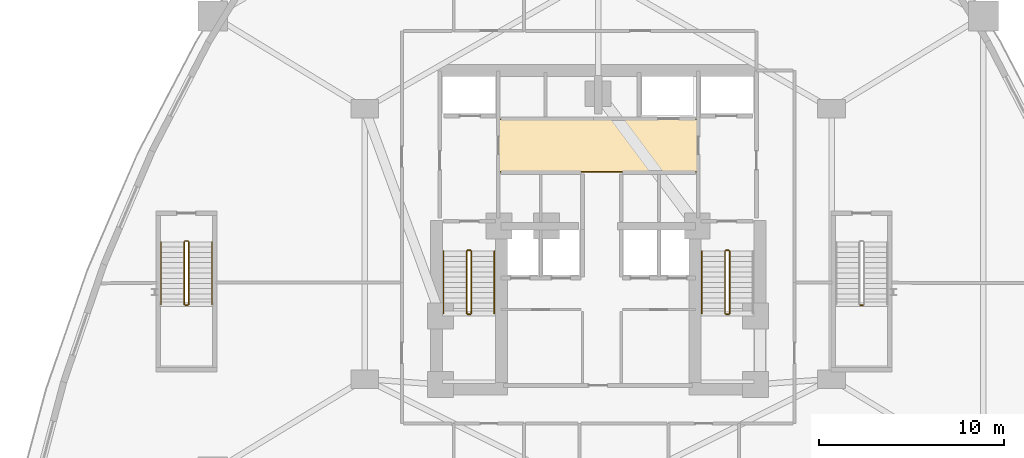
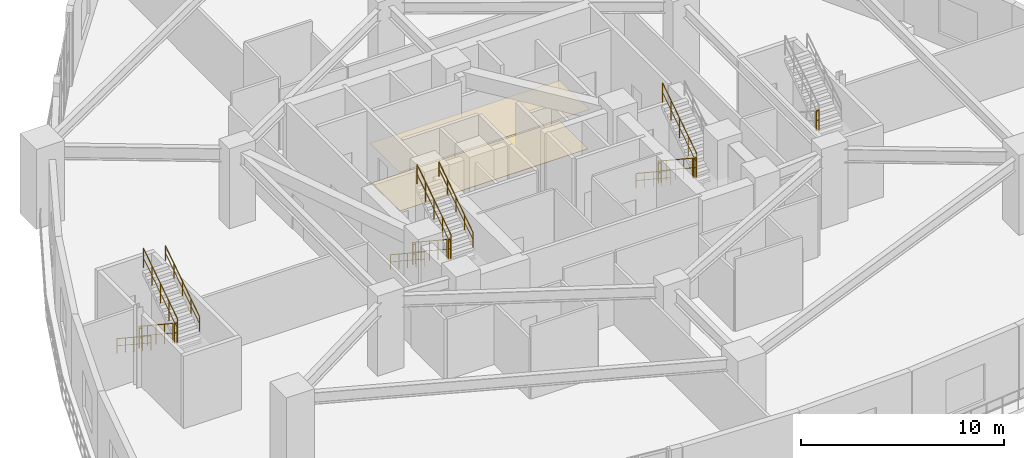
# One storey, part 16 of 19: 18 railings, 2 coverings.
"""IFC4 building model written with IfcOpenShell, lengths in metres."""

import ifcopenshell
import ifcopenshell.guid

model = None  # the IFC model being written
_history = None  # IfcOwnerHistory: only IFC2X3 demands one
_inside = {}  # id of a spatial element -> (the spatial element, [elements in it])
_under = {}  # id of a project, library or spatial element -> (it, [spatial elements below it])
_declared = {}  # id of a project -> (the project, [libraries it declares])
_typed = {}  # id of a type object -> (the type object, [elements of that type])
_made_of = {}  # id of a material, layer set ... -> (it, [elements and type objects made of it])


def new_model(schema):
    """Start an empty IFC model of exactly this schema.

    Asked for "IFC4X3", IfcOpenShell would pick the latest addendum, in which some entities
    have other attributes; the version numbers below select the first issue.
    IFC2X3 requires an IfcOwnerHistory on every rooted entity: one is made here for all.
    """
    global model, _history
    if schema == "IFC4X3":
        model = ifcopenshell.file(schema_version=(4, 3, 0, 0))
    else:
        model = ifcopenshell.file(schema=schema)
    _inside.clear()
    _under.clear()
    _declared.clear()
    _typed.clear()
    _made_of.clear()
    _history = None
    if model.schema == "IFC2X3":
        org = make("IfcOrganization", Name="unknown")
        user = make(
            "IfcPersonAndOrganization",
            ThePerson=make("IfcPerson", FamilyName="unknown"),
            TheOrganization=org,
        )
        app = make(
            "IfcApplication",
            ApplicationDeveloper=org,
            Version="unknown",
            ApplicationFullName="unknown",
            ApplicationIdentifier="unknown",
        )
        _history = make(
            "IfcOwnerHistory",
            OwningUser=user,
            OwningApplication=app,
            ChangeAction="ADDED",
            CreationDate=0,
        )
    return model


def make(cls, **values):
    """One entity of the class cls with the attributes given. An attribute that is None is left unset."""
    return model.create_entity(
        cls, **{name: value for name, value in values.items() if value is not None}
    )


def rooted(cls, **values):
    """An entity with a GlobalId (a new one), such as an element, a storey or a relation."""
    return make(cls, GlobalId=ifcopenshell.guid.new(), OwnerHistory=_history, **values)


def si_unit(unit_type, name, prefix=None):
    """IfcSIUnit, for example si_unit("LENGTHUNIT", "METRE", prefix="MILLI")."""
    return make("IfcSIUnit", UnitType=unit_type, Prefix=prefix, Name=name)


def assignment(units):
    """IfcUnitAssignment: the units of a project."""
    return None if units is None else make("IfcUnitAssignment", Units=units)


def point(xyz):
    """IfcCartesianPoint."""
    return None if xyz is None else make("IfcCartesianPoint", Coordinates=xyz)


def direction(xyz):
    """IfcDirection."""
    return None if xyz is None else make("IfcDirection", DirectionRatios=xyz)


def frame(location, z_axis=None, x_axis=None):
    """IfcAxis2Placement3D, a coordinate frame: its origin and axes. An axis left out is left unset."""
    return make(
        "IfcAxis2Placement3D",
        Location=point(location),
        Axis=direction(z_axis),
        RefDirection=direction(x_axis),
    )


def frame_2d(location, x_axis=None):
    """IfcAxis2Placement2D, a coordinate frame in the plane: its origin and x axis."""
    return make(
        "IfcAxis2Placement2D", Location=point(location), RefDirection=direction(x_axis)
    )


def origin():
    """The frame at (0, 0, 0) with its axes left unset."""
    return frame((0.0, 0.0, 0.0))


def origin_2d():
    """The frame at (0, 0) in the plane with its x axis left unset."""
    return frame_2d((0.0, 0.0))


def place(relative_to, where):
    """IfcLocalPlacement: puts the frame where relative to a parent placement (None: the world)."""
    return make(
        "IfcLocalPlacement", PlacementRelTo=relative_to, RelativePlacement=where
    )


def context(
    kind, dimensions, precision=None, world=None, true_north=None, identifier=None
):
    """IfcGeometricRepresentationContext, for example the 3D "Model" context."""
    return make(
        "IfcGeometricRepresentationContext",
        ContextIdentifier=identifier,
        ContextType=kind,
        CoordinateSpaceDimension=dimensions,
        Precision=precision,
        WorldCoordinateSystem=world,
        TrueNorth=true_north,
    )


def subcontext(parent, identifier, kind, view, scale=None):
    """IfcGeometricRepresentationSubContext, for example "Body" below "Model"."""
    return make(
        "IfcGeometricRepresentationSubContext",
        ContextIdentifier=identifier,
        ContextType=kind,
        ParentContext=parent,
        TargetScale=scale,
        TargetView=view,
    )


def project(units=None, contexts=None):
    """IfcProject with its units and contexts."""
    return rooted(
        "IfcProject",
        Name="project",
        RepresentationContexts=contexts,
        UnitsInContext=assignment(units),
    )


def spatial(cls, under=None, at=None, **own):
    """A site, building, storey or space (cls), placed at a placement, below another one or the project."""
    s = rooted(cls, ObjectPlacement=at, **own)
    if under is not None:
        _under.setdefault(under.id(), (under, []))[1].append(s)
    return s


def polyline(points):
    """IfcPolyline through the points."""
    return make("IfcPolyline", Points=[point(p) for p in points])


def profile(cls, at=None, kind="AREA", **sizes):
    """A parametric profile (cls). Its sizes go by their IFC names, for example OverallWidth=200.0."""
    return make(cls, ProfileType=kind, Position=at, **sizes)


def circle(**sizes):
    """IfcCircleProfileDef."""
    return profile("IfcCircleProfileDef", **sizes)


def outline(outer, holes=None, kind="AREA"):
    """IfcArbitraryClosedProfileDef: a profile drawn as a closed curve; with holes, ...WithVoids."""
    if holes is None:
        return make("IfcArbitraryClosedProfileDef", ProfileType=kind, OuterCurve=outer)
    return make(
        "IfcArbitraryProfileDefWithVoids",
        ProfileType=kind,
        OuterCurve=outer,
        InnerCurves=holes,
    )


def extrude(swept, where, along, depth):
    """IfcExtrudedAreaSolid: the profile swept, set in the frame where, extruded along a direction by depth."""
    return make(
        "IfcExtrudedAreaSolid",
        SweptArea=swept,
        Position=where,
        ExtrudedDirection=direction(along),
        Depth=depth,
    )


def shape(context_of_items, identifier, shape_type, items):
    """IfcShapeRepresentation: the items that make up one representation, for example the "Body"."""
    return make(
        "IfcShapeRepresentation",
        ContextOfItems=context_of_items,
        RepresentationIdentifier=identifier,
        RepresentationType=shape_type,
        Items=items,
    )


def material(Name=None, Category=None):
    """IfcMaterial."""
    return make("IfcMaterial", Name=Name, Category=Category)


def layer(
    of_material, thickness, ventilated=None, Name=None, Category=None, Priority=None
):
    """IfcMaterialLayer: one layer of a wall or slab, of a material (None: an air gap)."""
    return make(
        "IfcMaterialLayer",
        Material=of_material,
        LayerThickness=thickness,
        IsVentilated=ventilated,
        Name=Name,
        Category=Category,
        Priority=Priority,
    )


def layer_set(layers, Name=None):
    """IfcMaterialLayerSet."""
    return make("IfcMaterialLayerSet", MaterialLayers=layers, LayerSetName=Name)


def made_of(thing, what):
    """Note that an element or type object is made of a material, layer set ...; save() writes the relation."""
    if what is not None:
        _made_of.setdefault(what.id(), (what, []))[1].append(thing)
    return thing


def type_object(cls, material=None, **own):
    """A type object (cls), such as IfcWallType, which elements share."""
    return made_of(rooted(cls, **own), material)


def element(
    cls,
    number,
    at=None,
    inside=None,
    cuts=None,
    type_object=None,
    material=None,
    context=None,
    identifier="Body",
    shape_type=None,
    held_by="IfcProductDefinitionShape",
    body=None,
    shapes=None,
    **own,
):
    """One element of the class cls, such as IfcWall. Its Tag is "e" and its number.

    at: its placement. inside: the storey or other place that contains it. cuts: it is an
    opening in that element (IfcRelVoidsElement). A single representation is given by context,
    identifier, shape_type and body (its items); several are given by shapes. held_by: the class
    of the entity that holds the representations. save() writes the other relations.
    """
    e = rooted(cls, Tag="e%d" % number, ObjectPlacement=at, **own)
    if body is not None:
        shapes = [shape(context, identifier, shape_type, body)]
    if shapes is not None:
        e.Representation = make(held_by, Representations=shapes)
    if inside is not None:
        _inside.setdefault(inside.id(), (inside, []))[1].append(e)
    if cuts is not None:
        rooted(
            "IfcRelVoidsElement", RelatingBuildingElement=cuts, RelatedOpeningElement=e
        )
    if type_object is not None:
        _typed.setdefault(type_object.id(), (type_object, []))[1].append(e)
    return made_of(e, material)


def aggregate(whole, parts):
    """IfcRelAggregates: a whole, such as a stair, and the parts it consists of."""
    return rooted("IfcRelAggregates", RelatingObject=whole, RelatedObjects=parts)


def save(model, path):
    """Write the relations noted so far, then the file.

    IfcRelAggregates (storeys below a building ...), IfcRelContainedInSpatialStructure (elements
    in a storey), IfcRelDefinesByType, IfcRelAssociatesMaterial and IfcRelDeclares: one each for
    every whole, place, type object, material and project.
    """
    for whole, parts in _under.values():
        aggregate(whole, parts)
    for where, things in _inside.values():
        rooted(
            "IfcRelContainedInSpatialStructure",
            RelatedElements=things,
            RelatingStructure=where,
        )
    for kind, things in _typed.values():
        rooted("IfcRelDefinesByType", RelatedObjects=things, RelatingType=kind)
    for what, things in _made_of.values():
        rooted("IfcRelAssociatesMaterial", RelatedObjects=things, RelatingMaterial=what)
    for by, libraries in _declared.values():
        rooted("IfcRelDeclares", RelatingContext=by, RelatedDefinitions=libraries)
    model.write(path)


model = new_model("IFC4")

# Units and contexts
model_context = context("Model", 3, precision=1e-05, world=origin(), true_north=direction((0.0, 1.0)))
body_context = subcontext(model_context, "Body", "Model", "MODEL_VIEW")
ifc_project = project(units=[si_unit("LENGTHUNIT", "METRE"), si_unit("AREAUNIT", "SQUARE_METRE"), si_unit("VOLUMEUNIT", "CUBIC_METRE"), si_unit("PLANEANGLEUNIT", "RADIAN"), si_unit("MASSUNIT", "GRAM", prefix="KILO")], contexts=[model_context])

# Site, building, storey
site_placement = place(None, origin())
site = spatial("IfcSite", under=ifc_project, at=site_placement, CompositionType="ELEMENT")
building_placement = place(site_placement, origin())
building = spatial("IfcBuilding", under=site, at=building_placement, Name="Miruveldt Soraemaru", CompositionType="ELEMENT")
storey_placement = place(building_placement, frame((0.0, 0.0, 19.199951171875)))
storey = spatial("IfcBuildingStorey", under=building, at=storey_placement, Name="L05", CompositionType="ELEMENT", Elevation=19.199951171875)

# Coverings
ifc_material_1 = material(Name="Gypsum plasterboard lining", Category="gypsum")
ifc_layer_1 = layer(ifc_material_1, 0.02001953125, Name="Gypsum plasterboard lining", Category="gypsum")
ifc_layer_set_1 = layer_set([ifc_layer_1], Name="Gypsum plasterboard lining")
covering_type_1 = type_object("IfcCoveringType", Name="COV-CEIL-AC", PredefinedType="CEILING", material=ifc_layer_set_1)
covering_1_placement = place(storey_placement, frame((0.0, 0.0, 2.380126953125)))
element("IfcCovering", 1, at=covering_1_placement, inside=storey, type_object=covering_type_1, Name="L05 Lift Lobby Acoustic Ceiling", PredefinedType="CEILING", context=body_context, shape_type="SweptSolid", body=[
    extrude(outline(polyline([(38.60009765625, 46.949951171875), (49.39990234375, 46.949951171875), (49.39990234375, 49.85009765625), (38.60009765625, 49.85009765625), (38.60009765625, 46.949951171875)])), origin(), (0.0, 0.0, 1.0), 0.02001953125),
])
ifc_material_2 = material(Name="Precast concrete C45/55 (45 MPa)", Category="concrete")
ifc_layer_2 = layer(ifc_material_2, 0.02490234375, Name="Precast concrete C45/55 (45 MPa)", Category="concrete")
ifc_layer_set_2 = layer_set([ifc_layer_2], Name="Precast concrete C45/55 (45 MPa)")
covering_type_2 = type_object("IfcCoveringType", Name="COV-FLOR-ST", PredefinedType="FLOORING", material=ifc_layer_set_2)
covering_2_placement = place(storey_placement, origin())
element("IfcCovering", 2, at=covering_2_placement, inside=storey, type_object=covering_type_2, Name="L05 Lift Lobby Stone Flooring", PredefinedType="FLOORING", context=body_context, shape_type="SweptSolid", body=[
    extrude(outline(polyline([(38.64990234375, 47.0), (49.35009765625, 47.0), (49.35009765625, 49.800048828125), (38.64990234375, 49.800048828125), (38.64990234375, 47.0)])), origin(), (0.0, 0.0, 1.0), 0.025146484375),
])

# Railings
ifc_material_3 = material(Name="Steel S355 (355 MPa)", Category="steel")
railing_type_1 = type_object("IfcRailingType", Name="RAIL-HR-900", PredefinedType="HANDRAIL", material=ifc_material_3)
railing_1_placement = place(storey_placement, frame((35.64990234375, 42.699951171875, 0.1845703125)))
element("IfcRailing", 3, at=railing_1_placement, inside=storey, type_object=railing_type_1, Name="L05 ST-1 stair handrail 1", PredefinedType="HANDRAIL", context=body_context, shape_type="SweptSolid", body=[
    extrude(circle(Radius=0.02392578125, at=origin_2d()), frame((0.0, 0.0, 0.8759765625), z_axis=(0.0, -0.83483021737, 0.550507500554), x_axis=(1.0, 0.0, 0.0)), (0.0, 0.0, 1.0), 4.024658203125),
    extrude(circle(Radius=0.01611328125, at=origin_2d()), frame((0.0, 0.0, 0.449951171875), z_axis=(0.0, -0.83483021737, 0.550507500554), x_axis=(1.0, 0.0, 0.0)), (0.0, 0.0, 1.0), 4.024658203125),
    extrude(circle(Radius=0.02099609375, at=origin_2d()), origin(), (0.0, 0.0, 1.0), 0.851806640625),
    extrude(circle(Radius=0.02099609375, at=origin_2d()), frame((0.0, -0.83984375, 0.553955078125)), (0.0, 0.0, 1.0), 0.851806640625),
    extrude(circle(Radius=0.02099609375, at=origin_2d()), frame((0.0, -1.679931640625, 1.10791015625)), (0.0, 0.0, 1.0), 0.851806640625),
    extrude(circle(Radius=0.02099609375, at=origin_2d()), frame((0.0, -2.52001953125, 1.66162109375)), (0.0, 0.0, 1.0), 0.851806640625),
    extrude(circle(Radius=0.02099609375, at=origin_2d()), frame((0.0, -3.35986328125, 2.215576171875)), (0.0, 0.0, 1.0), 0.851806640625),
])
railing_2_placement = place(storey_placement, frame((38.39990234375, 39.340087890625, 2.584716796875)))
element("IfcRailing", 4, at=railing_2_placement, inside=storey, type_object=railing_type_1, Name="L05 ST-1 stair handrail 2", PredefinedType="HANDRAIL", context=body_context, shape_type="SweptSolid", body=[
    extrude(circle(Radius=0.02392578125, at=origin_2d()), frame((0.0, 0.0, 0.8759765625), z_axis=(0.0, 0.834858096282, 0.550465220583), x_axis=(-1.0, 0.0, 0.0)), (0.0, 0.0, 1.0), 4.0244140625),
    extrude(circle(Radius=0.01611328125, at=origin_2d()), frame((0.0, 0.0, 0.449951171875), z_axis=(0.0, 0.834858096282, 0.550465220583), x_axis=(-1.0, 0.0, 0.0)), (0.0, 0.0, 1.0), 4.0244140625),
    extrude(circle(Radius=0.02099609375, at=origin_2d()), origin(), (0.0, 0.0, 1.0), 0.851806640625),
    extrude(circle(Radius=0.02099609375, at=origin_2d()), frame((0.0, 0.83984375, 0.5537109375)), (0.0, 0.0, 1.0), 0.851806640625),
    extrude(circle(Radius=0.02099609375, at=origin_2d()), frame((0.0, 1.679931640625, 1.107666015625)), (0.0, 0.0, 1.0), 0.851806640625),
    extrude(circle(Radius=0.02099609375, at=origin_2d()), frame((0.0, 2.52001953125, 1.66162109375)), (0.0, 0.0, 1.0), 0.851806640625),
    extrude(circle(Radius=0.02099609375, at=origin_2d()), frame((0.0, 3.35986328125, 2.21533203125)), (0.0, 0.0, 1.0), 0.851806640625),
])
for number, where, name in (
    (5, (49.60009765625, 42.699951171875, 0.1845703125), "L05 ST-2 stair handrail 1"),
    (6, (20.39990234375, 43.199951171875, 0.1845703125), "L05 ST-3 stair handrail 1"),
):
    element("IfcRailing", number, at=place(storey_placement, frame(where)), inside=storey, type_object=railing_type_1, Name=name, PredefinedType="HANDRAIL", context=body_context, shape_type="SweptSolid", body=[
        extrude(circle(Radius=0.02392578125, at=origin_2d()), frame((0.0, 0.0, 0.8759765625), z_axis=(0.0, -0.83483021737, 0.550507500554), x_axis=(1.0, 0.0, 0.0)), (0.0, 0.0, 1.0), 4.024658203125),
        extrude(circle(Radius=0.01611328125, at=origin_2d()), frame((0.0, 0.0, 0.449951171875), z_axis=(0.0, -0.83483021737, 0.550507500554), x_axis=(1.0, 0.0, 0.0)), (0.0, 0.0, 1.0), 4.024658203125),
        extrude(circle(Radius=0.02099609375, at=origin_2d()), origin(), (0.0, 0.0, 1.0), 0.851806640625),
        extrude(circle(Radius=0.02099609375, at=origin_2d()), frame((0.0, -0.83984375, 0.553955078125)), (0.0, 0.0, 1.0), 0.851806640625),
        extrude(circle(Radius=0.02099609375, at=origin_2d()), frame((0.0, -1.679931640625, 1.10791015625)), (0.0, 0.0, 1.0), 0.851806640625),
        extrude(circle(Radius=0.02099609375, at=origin_2d()), frame((0.0, -2.52001953125, 1.66162109375)), (0.0, 0.0, 1.0), 0.851806640625),
        extrude(circle(Radius=0.02099609375, at=origin_2d()), frame((0.0, -3.35986328125, 2.215576171875)), (0.0, 0.0, 1.0), 0.851806640625),
    ])
railing_3_placement = place(storey_placement, frame((23.14990234375, 39.840087890625, 2.584716796875)))
element("IfcRailing", 7, at=railing_3_placement, inside=storey, type_object=railing_type_1, Name="L05 ST-3 stair handrail 2", PredefinedType="HANDRAIL", context=body_context, shape_type="SweptSolid", body=[
    extrude(circle(Radius=0.02392578125, at=origin_2d()), frame((0.0, 0.0, 0.8759765625), z_axis=(0.0, 0.834858096282, 0.550465220583), x_axis=(-1.0, 0.0, 0.0)), (0.0, 0.0, 1.0), 4.0244140625),
    extrude(circle(Radius=0.01611328125, at=origin_2d()), frame((0.0, 0.0, 0.449951171875), z_axis=(0.0, 0.834858096282, 0.550465220583), x_axis=(-1.0, 0.0, 0.0)), (0.0, 0.0, 1.0), 4.0244140625),
    extrude(circle(Radius=0.02099609375, at=origin_2d()), origin(), (0.0, 0.0, 1.0), 0.851806640625),
    extrude(circle(Radius=0.02099609375, at=origin_2d()), frame((0.0, 0.83984375, 0.5537109375)), (0.0, 0.0, 1.0), 0.851806640625),
    extrude(circle(Radius=0.02099609375, at=origin_2d()), frame((0.0, 1.679931640625, 1.107666015625)), (0.0, 0.0, 1.0), 0.851806640625),
    extrude(circle(Radius=0.02099609375, at=origin_2d()), frame((0.0, 2.52001953125, 1.66162109375)), (0.0, 0.0, 1.0), 0.851806640625),
    extrude(circle(Radius=0.02099609375, at=origin_2d()), frame((0.0, 3.35986328125, 2.21533203125)), (0.0, 0.0, 1.0), 0.851806640625),
])
railing_type_2 = type_object("IfcRailingType", Name="RAIL-STGUARD-1200", PredefinedType="GUARDRAIL", material=ifc_material_3)
railing_4_placement = place(storey_placement, frame((36.89990234375, 42.699951171875, 0.1845703125)))
element("IfcRailing", 8, at=railing_4_placement, inside=storey, type_object=railing_type_2, Name="L05 ST-1 stair guard 1", PredefinedType="GUARDRAIL", context=body_context, shape_type="SweptSolid", body=[
    extrude(circle(Radius=0.02392578125, at=origin_2d()), frame((0.0, 0.0, 1.17578125), z_axis=(0.0, -0.83483021737, 0.550507500554), x_axis=(1.0, 0.0, 0.0)), (0.0, 0.0, 1.0), 4.024658203125),
    extrude(circle(Radius=0.01611328125, at=origin_2d()), frame((0.0, 0.0, 0.60009765625), z_axis=(0.0, -0.83483021737, 0.550507500554), x_axis=(1.0, 0.0, 0.0)), (0.0, 0.0, 1.0), 4.024658203125),
    extrude(circle(Radius=0.02099609375, at=origin_2d()), origin(), (0.0, 0.0, 1.0), 1.15185546875),
    extrude(circle(Radius=0.02099609375, at=origin_2d()), frame((0.0, -0.83984375, 0.553955078125)), (0.0, 0.0, 1.0), 1.15185546875),
    extrude(circle(Radius=0.02099609375, at=origin_2d()), frame((0.0, -1.679931640625, 1.10791015625)), (0.0, 0.0, 1.0), 1.15185546875),
    extrude(circle(Radius=0.02099609375, at=origin_2d()), frame((0.0, -2.52001953125, 1.66162109375)), (0.0, 0.0, 1.0), 1.15185546875),
    extrude(circle(Radius=0.02099609375, at=origin_2d()), frame((0.0, -3.35986328125, 2.215576171875)), (0.0, 0.0, 1.0), 1.15185546875),
])
railing_5_placement = place(storey_placement, frame((36.949951171875, 39.2900390625, 2.400146484375)))
element("IfcRailing", 9, at=railing_5_placement, inside=storey, type_object=railing_type_2, Name="L05 ST-1 stair guard 2", PredefinedType="GUARDRAIL", context=body_context, shape_type="SweptSolid", body=[
    extrude(circle(Radius=0.02392578125, at=origin_2d()), frame((0.0, 0.0, 1.17578125), z_axis=(1.0, 0.0, 0.0), x_axis=(0.0, 1.0, 0.0)), (0.0, 0.0, 1.0), 0.150146484375),
    extrude(circle(Radius=0.01611328125, at=origin_2d()), frame((0.0, 0.0, 0.60009765625), z_axis=(1.0, 0.0, 0.0), x_axis=(0.0, 1.0, 0.0)), (0.0, 0.0, 1.0), 0.150146484375),
    extrude(circle(Radius=0.02099609375, at=origin_2d()), origin(), (0.0, 0.0, 1.0), 1.15185546875),
    extrude(circle(Radius=0.02099609375, at=origin_2d()), frame((0.150146484375, 0.0, 0.0)), (0.0, 0.0, 1.0), 1.15185546875),
])
railing_6_placement = place(storey_placement, frame((37.14990234375, 39.340087890625, 2.584716796875)))
element("IfcRailing", 10, at=railing_6_placement, inside=storey, type_object=railing_type_2, Name="L05 ST-1 stair guard 3", PredefinedType="GUARDRAIL", context=body_context, shape_type="SweptSolid", body=[
    extrude(circle(Radius=0.02392578125, at=origin_2d()), frame((0.0, 0.0, 1.17578125), z_axis=(0.0, 0.834858096282, 0.550465220583), x_axis=(-1.0, 0.0, 0.0)), (0.0, 0.0, 1.0), 4.0244140625),
    extrude(circle(Radius=0.01611328125, at=origin_2d()), frame((0.0, 0.0, 0.60009765625), z_axis=(0.0, 0.834858096282, 0.550465220583), x_axis=(-1.0, 0.0, 0.0)), (0.0, 0.0, 1.0), 4.0244140625),
    extrude(circle(Radius=0.02099609375, at=origin_2d()), origin(), (0.0, 0.0, 1.0), 1.15185546875),
    extrude(circle(Radius=0.02099609375, at=origin_2d()), frame((0.0, 0.83984375, 0.5537109375)), (0.0, 0.0, 1.0), 1.15185546875),
    extrude(circle(Radius=0.02099609375, at=origin_2d()), frame((0.0, 1.679931640625, 1.107666015625)), (0.0, 0.0, 1.0), 1.15185546875),
    extrude(circle(Radius=0.02099609375, at=origin_2d()), frame((0.0, 2.52001953125, 1.66162109375)), (0.0, 0.0, 1.0), 1.15185546875),
    extrude(circle(Radius=0.02099609375, at=origin_2d()), frame((0.0, 3.35986328125, 2.21533203125)), (0.0, 0.0, 1.0), 1.15185546875),
])
railing_7_placement = place(storey_placement, frame((36.949951171875, 42.75, 0.0)))
element("IfcRailing", 11, at=railing_7_placement, inside=storey, type_object=railing_type_2, Name="L05 ST-1 stair guard 4", PredefinedType="GUARDRAIL", context=body_context, shape_type="SweptSolid", body=[
    extrude(circle(Radius=0.02392578125, at=origin_2d()), frame((0.0, 0.0, 1.17578125), z_axis=(1.0, 0.0, 0.0), x_axis=(0.0, 1.0, 0.0)), (0.0, 0.0, 1.0), 0.150146484375),
    extrude(circle(Radius=0.01611328125, at=origin_2d()), frame((0.0, 0.0, 0.60009765625), z_axis=(1.0, 0.0, 0.0), x_axis=(0.0, 1.0, 0.0)), (0.0, 0.0, 1.0), 0.150146484375),
    extrude(circle(Radius=0.02099609375, at=origin_2d()), origin(), (0.0, 0.0, 1.0), 1.15185546875),
    extrude(circle(Radius=0.02099609375, at=origin_2d()), frame((0.150146484375, 0.0, 0.0)), (0.0, 0.0, 1.0), 1.15185546875),
])
railing_8_placement = place(storey_placement, frame((50.85009765625, 42.699951171875, 0.1845703125)))
element("IfcRailing", 12, at=railing_8_placement, inside=storey, type_object=railing_type_2, Name="L05 ST-2 stair guard 1", PredefinedType="GUARDRAIL", context=body_context, shape_type="SweptSolid", body=[
    extrude(circle(Radius=0.02392578125, at=origin_2d()), frame((0.0, 0.0, 1.17578125), z_axis=(0.0, -0.83483021737, 0.550507500554), x_axis=(1.0, 0.0, 0.0)), (0.0, 0.0, 1.0), 4.024658203125),
    extrude(circle(Radius=0.01611328125, at=origin_2d()), frame((0.0, 0.0, 0.60009765625), z_axis=(0.0, -0.83483021737, 0.550507500554), x_axis=(1.0, 0.0, 0.0)), (0.0, 0.0, 1.0), 4.024658203125),
    extrude(circle(Radius=0.02099609375, at=origin_2d()), origin(), (0.0, 0.0, 1.0), 1.15185546875),
    extrude(circle(Radius=0.02099609375, at=origin_2d()), frame((0.0, -0.83984375, 0.553955078125)), (0.0, 0.0, 1.0), 1.15185546875),
    extrude(circle(Radius=0.02099609375, at=origin_2d()), frame((0.0, -1.679931640625, 1.10791015625)), (0.0, 0.0, 1.0), 1.15185546875),
    extrude(circle(Radius=0.02099609375, at=origin_2d()), frame((0.0, -2.52001953125, 1.66162109375)), (0.0, 0.0, 1.0), 1.15185546875),
    extrude(circle(Radius=0.02099609375, at=origin_2d()), frame((0.0, -3.35986328125, 2.215576171875)), (0.0, 0.0, 1.0), 1.15185546875),
])
railing_9_placement = place(storey_placement, frame((50.89990234375, 39.2900390625, 2.400146484375)))
element("IfcRailing", 13, at=railing_9_placement, inside=storey, type_object=railing_type_2, Name="L05 ST-2 stair guard 2", PredefinedType="GUARDRAIL", context=body_context, shape_type="SweptSolid", body=[
    extrude(circle(Radius=0.02392578125, at=origin_2d()), frame((0.0, 0.0, 1.17578125), z_axis=(1.0, 0.0, 0.0), x_axis=(0.0, 1.0, 0.0)), (0.0, 0.0, 1.0), 0.150146484375),
    extrude(circle(Radius=0.01611328125, at=origin_2d()), frame((0.0, 0.0, 0.60009765625), z_axis=(1.0, 0.0, 0.0), x_axis=(0.0, 1.0, 0.0)), (0.0, 0.0, 1.0), 0.150146484375),
    extrude(circle(Radius=0.02099609375, at=origin_2d()), origin(), (0.0, 0.0, 1.0), 1.15185546875),
    extrude(circle(Radius=0.02099609375, at=origin_2d()), frame((0.150146484375, 0.0, 0.0)), (0.0, 0.0, 1.0), 1.15185546875),
])
railing_10_placement = place(storey_placement, frame((51.10009765625, 39.340087890625, 2.584716796875)))
element("IfcRailing", 14, at=railing_10_placement, inside=storey, type_object=railing_type_2, Name="L05 ST-2 stair guard 3", PredefinedType="GUARDRAIL", context=body_context, shape_type="SweptSolid", body=[
    extrude(circle(Radius=0.02392578125, at=origin_2d()), frame((0.0, 0.0, 1.17578125), z_axis=(0.0, 0.834858096282, 0.550465220583), x_axis=(-1.0, 0.0, 0.0)), (0.0, 0.0, 1.0), 4.0244140625),
    extrude(circle(Radius=0.01611328125, at=origin_2d()), frame((0.0, 0.0, 0.60009765625), z_axis=(0.0, 0.834858096282, 0.550465220583), x_axis=(-1.0, 0.0, 0.0)), (0.0, 0.0, 1.0), 4.0244140625),
    extrude(circle(Radius=0.02099609375, at=origin_2d()), origin(), (0.0, 0.0, 1.0), 1.15185546875),
    extrude(circle(Radius=0.02099609375, at=origin_2d()), frame((0.0, 0.83984375, 0.5537109375)), (0.0, 0.0, 1.0), 1.15185546875),
    extrude(circle(Radius=0.02099609375, at=origin_2d()), frame((0.0, 1.679931640625, 1.107666015625)), (0.0, 0.0, 1.0), 1.15185546875),
    extrude(circle(Radius=0.02099609375, at=origin_2d()), frame((0.0, 2.52001953125, 1.66162109375)), (0.0, 0.0, 1.0), 1.15185546875),
    extrude(circle(Radius=0.02099609375, at=origin_2d()), frame((0.0, 3.35986328125, 2.21533203125)), (0.0, 0.0, 1.0), 1.15185546875),
])
railing_11_placement = place(storey_placement, frame((50.89990234375, 42.75, 0.0)))
element("IfcRailing", 15, at=railing_11_placement, inside=storey, type_object=railing_type_2, Name="L05 ST-2 stair guard 4", PredefinedType="GUARDRAIL", context=body_context, shape_type="SweptSolid", body=[
    extrude(circle(Radius=0.02392578125, at=origin_2d()), frame((0.0, 0.0, 1.17578125), z_axis=(1.0, 0.0, 0.0), x_axis=(0.0, 1.0, 0.0)), (0.0, 0.0, 1.0), 0.150146484375),
    extrude(circle(Radius=0.01611328125, at=origin_2d()), frame((0.0, 0.0, 0.60009765625), z_axis=(1.0, 0.0, 0.0), x_axis=(0.0, 1.0, 0.0)), (0.0, 0.0, 1.0), 0.150146484375),
    extrude(circle(Radius=0.02099609375, at=origin_2d()), origin(), (0.0, 0.0, 1.0), 1.15185546875),
    extrude(circle(Radius=0.02099609375, at=origin_2d()), frame((0.150146484375, 0.0, 0.0)), (0.0, 0.0, 1.0), 1.15185546875),
])
railing_12_placement = place(storey_placement, frame((21.64990234375, 43.199951171875, 0.1845703125)))
element("IfcRailing", 16, at=railing_12_placement, inside=storey, type_object=railing_type_2, Name="L05 ST-3 stair guard 1", PredefinedType="GUARDRAIL", context=body_context, shape_type="SweptSolid", body=[
    extrude(circle(Radius=0.02392578125, at=origin_2d()), frame((0.0, 0.0, 1.17578125), z_axis=(0.0, -0.83483021737, 0.550507500554), x_axis=(1.0, 0.0, 0.0)), (0.0, 0.0, 1.0), 4.024658203125),
    extrude(circle(Radius=0.01611328125, at=origin_2d()), frame((0.0, 0.0, 0.60009765625), z_axis=(0.0, -0.83483021737, 0.550507500554), x_axis=(1.0, 0.0, 0.0)), (0.0, 0.0, 1.0), 4.024658203125),
    extrude(circle(Radius=0.02099609375, at=origin_2d()), origin(), (0.0, 0.0, 1.0), 1.15185546875),
    extrude(circle(Radius=0.02099609375, at=origin_2d()), frame((0.0, -0.83984375, 0.553955078125)), (0.0, 0.0, 1.0), 1.15185546875),
    extrude(circle(Radius=0.02099609375, at=origin_2d()), frame((0.0, -1.679931640625, 1.10791015625)), (0.0, 0.0, 1.0), 1.15185546875),
    extrude(circle(Radius=0.02099609375, at=origin_2d()), frame((0.0, -2.52001953125, 1.66162109375)), (0.0, 0.0, 1.0), 1.15185546875),
    extrude(circle(Radius=0.02099609375, at=origin_2d()), frame((0.0, -3.35986328125, 2.215576171875)), (0.0, 0.0, 1.0), 1.15185546875),
])
railing_13_placement = place(storey_placement, frame((21.699951171875, 39.7900390625, 2.400146484375)))
element("IfcRailing", 17, at=railing_13_placement, inside=storey, type_object=railing_type_2, Name="L05 ST-3 stair guard 2", PredefinedType="GUARDRAIL", context=body_context, shape_type="SweptSolid", body=[
    extrude(circle(Radius=0.02392578125, at=origin_2d()), frame((0.0, 0.0, 1.17578125), z_axis=(1.0, 0.0, 0.0), x_axis=(0.0, 1.0, 0.0)), (0.0, 0.0, 1.0), 0.150146484375),
    extrude(circle(Radius=0.01611328125, at=origin_2d()), frame((0.0, 0.0, 0.60009765625), z_axis=(1.0, 0.0, 0.0), x_axis=(0.0, 1.0, 0.0)), (0.0, 0.0, 1.0), 0.150146484375),
    extrude(circle(Radius=0.02099609375, at=origin_2d()), origin(), (0.0, 0.0, 1.0), 1.15185546875),
    extrude(circle(Radius=0.02099609375, at=origin_2d()), frame((0.150146484375, 0.0, 0.0)), (0.0, 0.0, 1.0), 1.15185546875),
])
railing_14_placement = place(storey_placement, frame((21.89990234375, 39.840087890625, 2.584716796875)))
element("IfcRailing", 18, at=railing_14_placement, inside=storey, type_object=railing_type_2, Name="L05 ST-3 stair guard 3", PredefinedType="GUARDRAIL", context=body_context, shape_type="SweptSolid", body=[
    extrude(circle(Radius=0.02392578125, at=origin_2d()), frame((0.0, 0.0, 1.17578125), z_axis=(0.0, 0.834858096282, 0.550465220583), x_axis=(-1.0, 0.0, 0.0)), (0.0, 0.0, 1.0), 4.0244140625),
    extrude(circle(Radius=0.01611328125, at=origin_2d()), frame((0.0, 0.0, 0.60009765625), z_axis=(0.0, 0.834858096282, 0.550465220583), x_axis=(-1.0, 0.0, 0.0)), (0.0, 0.0, 1.0), 4.0244140625),
    extrude(circle(Radius=0.02099609375, at=origin_2d()), origin(), (0.0, 0.0, 1.0), 1.15185546875),
    extrude(circle(Radius=0.02099609375, at=origin_2d()), frame((0.0, 0.83984375, 0.5537109375)), (0.0, 0.0, 1.0), 1.15185546875),
    extrude(circle(Radius=0.02099609375, at=origin_2d()), frame((0.0, 1.679931640625, 1.107666015625)), (0.0, 0.0, 1.0), 1.15185546875),
    extrude(circle(Radius=0.02099609375, at=origin_2d()), frame((0.0, 2.52001953125, 1.66162109375)), (0.0, 0.0, 1.0), 1.15185546875),
    extrude(circle(Radius=0.02099609375, at=origin_2d()), frame((0.0, 3.35986328125, 2.21533203125)), (0.0, 0.0, 1.0), 1.15185546875),
])
for number, where, name in (
    (19, (21.699951171875, 43.25, 0.0), "L05 ST-3 stair guard 4"),
    (20, (58.14990234375, 39.7900390625, 2.400146484375), "L05 ST-4 stair guard 2"),
):
    element("IfcRailing", number, at=place(storey_placement, frame(where)), inside=storey, type_object=railing_type_2, Name=name, PredefinedType="GUARDRAIL", context=body_context, shape_type="SweptSolid", body=[
        extrude(circle(Radius=0.02392578125, at=origin_2d()), frame((0.0, 0.0, 1.17578125), z_axis=(1.0, 0.0, 0.0), x_axis=(0.0, 1.0, 0.0)), (0.0, 0.0, 1.0), 0.150146484375),
        extrude(circle(Radius=0.01611328125, at=origin_2d()), frame((0.0, 0.0, 0.60009765625), z_axis=(1.0, 0.0, 0.0), x_axis=(0.0, 1.0, 0.0)), (0.0, 0.0, 1.0), 0.150146484375),
        extrude(circle(Radius=0.02099609375, at=origin_2d()), origin(), (0.0, 0.0, 1.0), 1.15185546875),
        extrude(circle(Radius=0.02099609375, at=origin_2d()), frame((0.150146484375, 0.0, 0.0)), (0.0, 0.0, 1.0), 1.15185546875),
    ])

save(model, "model.ifc")
